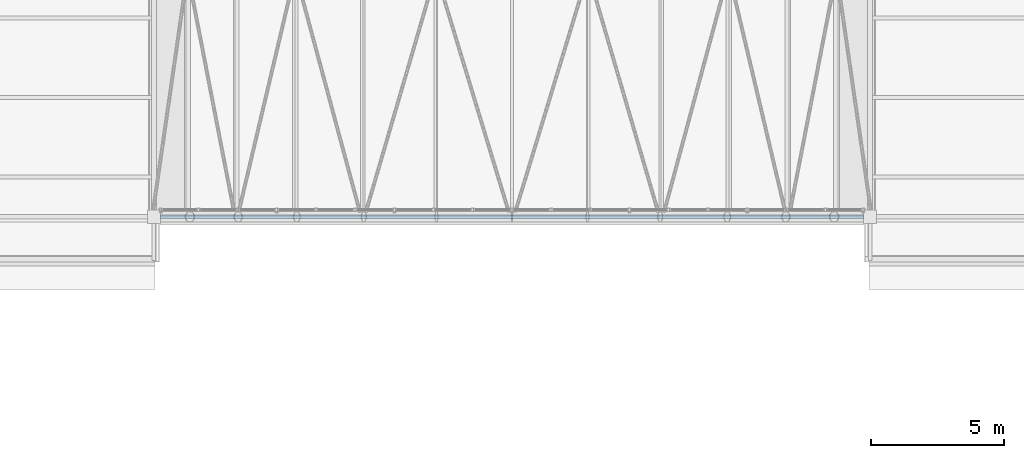
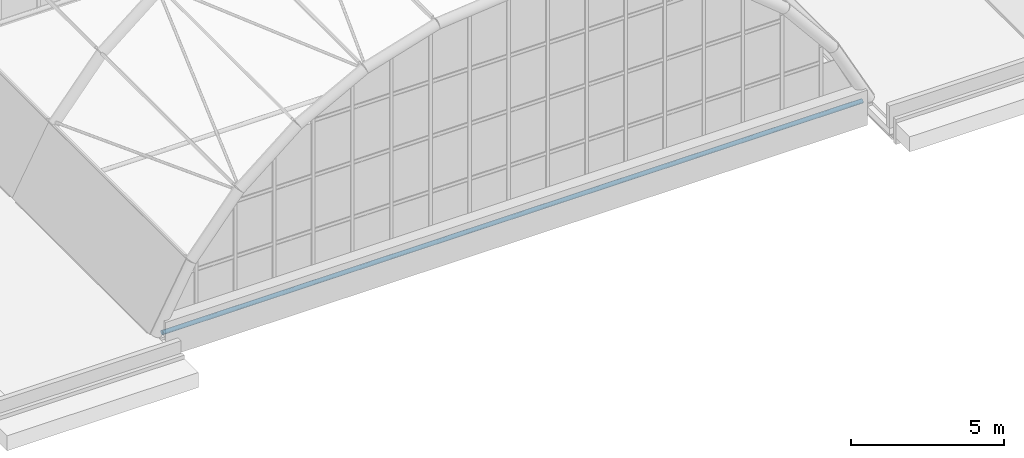
# One storey, part 21 of 121: 1 member.
"""IFC4 building model written with IfcOpenShell, lengths in metres."""

from ifc_helpers import new_model, si_unit, direction, frame, origin, origin_2d, place, context, subcontext, project, spatial, hollow_circle, extrude, material, material_profile, profile_set, type_object, element, save


model = new_model("IFC4")

# Units and contexts
model_context = context("Model", 3, precision=1e-05, world=origin(), true_north=direction((0.0, 1.0)))
body_context = subcontext(model_context, "Body", "Model", "MODEL_VIEW")
ifc_project = project(units=[si_unit("LENGTHUNIT", "METRE"), si_unit("AREAUNIT", "SQUARE_METRE"), si_unit("VOLUMEUNIT", "CUBIC_METRE"), si_unit("PLANEANGLEUNIT", "RADIAN"), si_unit("MASSUNIT", "GRAM", prefix="KILO")], contexts=[model_context])

# Site, building, storey
site_placement = place(None, origin())
site = spatial("IfcSite", under=ifc_project, at=site_placement, CompositionType="ELEMENT")
building_placement = place(site_placement, origin())
building = spatial("IfcBuilding", under=site, at=building_placement, Name="Golden Quay Civic Hall", CompositionType="ELEMENT")
storey_placement = place(building_placement, frame((0.0, 0.0, 18.60009765625)))
storey = spatial("IfcBuildingStorey", under=building, at=storey_placement, Name="L04", CompositionType="ELEMENT", Elevation=18.60009765625)

# Member
ifc_material = material(Name="Steel S355", Category="steel")
ifc_material_profile = material_profile(ifc_material, hollow_circle(Radius=0.084228515625, WallThickness=0.008056640625, at=origin_2d()), Name="CHS 168.3x8")
ifc_profile_set = profile_set([ifc_material_profile], Name="Steel S355")
member_type = type_object("IfcMemberType", Name="Steel tie rod CHS 168.3x8", PredefinedType="USERDEFINED", material=ifc_profile_set)
member_placement = place(storey_placement, frame((72.25, 0.0, 0.099853515625), z_axis=(1.0, 0.0, 0.0), x_axis=(0.0, 1.0, 0.0)))
element("IfcMember", 1, at=member_placement, inside=storey, type_object=member_type, Name="Springing tie 1", ObjectType="TIE ROD", PredefinedType="USERDEFINED", context=body_context, shape_type="SweptSolid", body=[
    extrude(hollow_circle(Radius=0.084228515625, WallThickness=0.008056640625, at=origin_2d()), origin(), (0.0, 0.0, 1.0), 26.5),
])

save(model, "model.ifc")
